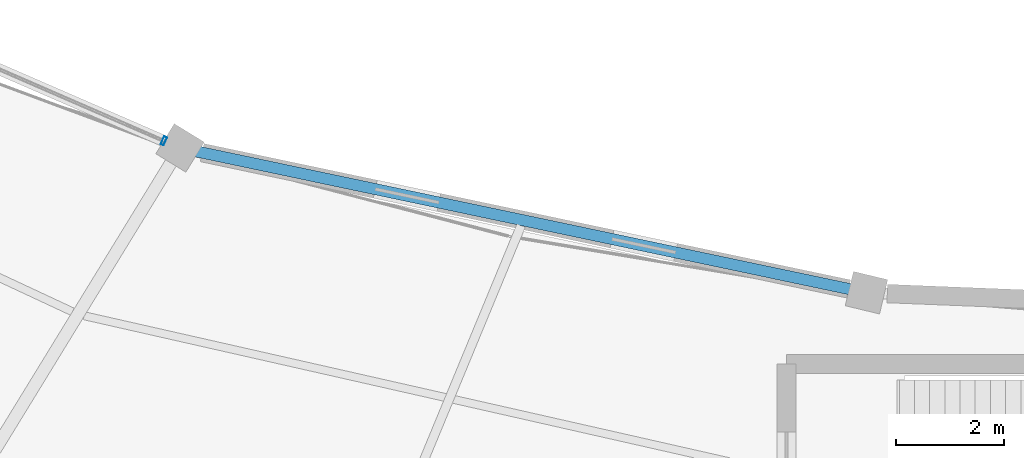
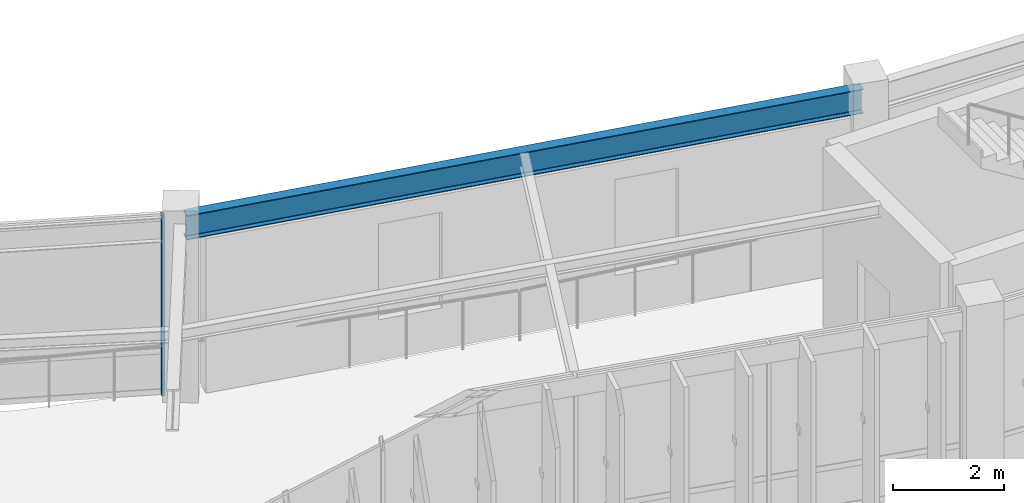
# One storey, part 49 of 138: 1 beam, 1 member, 1 element without a shape of its own.
"""IFC4 building model written with IfcOpenShell, lengths in metres."""

from ifc_helpers import new_model, si_unit, direction, frame, origin, origin_2d, place, context, subcontext, project, spatial, hollow_rectangle, i_section, extrude, material, material_profile, profile_set, type_object, element, aggregate, save


model = new_model("IFC4")

# Units and contexts
model_context = context("Model", 3, precision=1e-05, world=origin(), true_north=direction((0.0, 1.0)))
body_context = subcontext(model_context, "Body", "Model", "MODEL_VIEW")
ifc_project = project(units=[si_unit("LENGTHUNIT", "METRE"), si_unit("AREAUNIT", "SQUARE_METRE"), si_unit("VOLUMEUNIT", "CUBIC_METRE"), si_unit("PLANEANGLEUNIT", "RADIAN"), si_unit("MASSUNIT", "GRAM", prefix="KILO"), si_unit("THERMODYNAMICTEMPERATUREUNIT", "KELVIN"), si_unit("POWERUNIT", "WATT")], contexts=[model_context])

# Site, building, storey
site_placement = place(None, origin())
site = spatial("IfcSite", under=ifc_project, at=site_placement, CompositionType="ELEMENT")
building_placement = place(site_placement, origin())
building = spatial("IfcBuilding", under=site, at=building_placement, Name="Darbajah Civic Hall", CompositionType="ELEMENT")
storey_placement = place(building_placement, frame((0.0, 0.0, 9.60009765625)))
storey = spatial("IfcBuildingStorey", under=building, at=storey_placement, Name="L02", CompositionType="ELEMENT", Elevation=9.60009765625)

# Curtain wall, member
ifc_material_1 = material(Name="Anodised Bronze Aluminium and Low-E Glazing", Category="aluminium")
curtain_wall_type = type_object("IfcCurtainWallType", Name="Unitised Curtain Wall CW-19 10700x3900", PredefinedType="USERDEFINED", material=ifc_material_1)
curtain_wall_placement = place(storey_placement, origin())
curtain_wall = element("IfcCurtainWall", 1, at=curtain_wall_placement, inside=storey, type_object=curtain_wall_type, Name="L02 unitised curtain wall CW-V1I-L02-12", ObjectType="UNITISED CURTAIN WALL", PredefinedType="USERDEFINED")
ifc_material_2 = material(Name="Anodised Bronze Aluminium", Category="aluminium")
ifc_material_profile_1 = material_profile(ifc_material_2, hollow_rectangle(XDim=0.06005859375, YDim=0.159912109375, WallThickness=0.00341796875, at=origin_2d()), Name="ALU MULLION 60x160")
ifc_profile_set_1 = profile_set([ifc_material_profile_1], Name="Anodised Bronze Aluminium")
member_type = type_object("IfcMemberType", Name="ALU MULLION 60x160", PredefinedType="MULLION", material=ifc_profile_set_1)
member_placement = place(storey_placement, frame((65.914794921875, 70.91650390625, 0.0), z_axis=(0.0, 0.0, 1.0), x_axis=(0.917060074385, -0.398749068925, 0.0)))
member = element("IfcMember", 2, at=member_placement, type_object=member_type, Name="CW-V1I-L02-12 mullion 4", PredefinedType="MULLION", context=body_context, shape_type="SweptSolid", body=[
    extrude(hollow_rectangle(XDim=0.06005859375, YDim=0.159912109375, WallThickness=0.00341796875, at=origin_2d()), origin(), (0.0, 0.0, 1.0), 3.919921875),
])
aggregate(curtain_wall, [member])

# Beam
ifc_material_3 = material(Name="Steel S355JR", Category="steel")
ifc_material_profile_2 = material_profile(ifc_material_3, i_section(OverallWidth=0.209228515625, OverallDepth=0.533203125, WebThickness=0.010009765625, FlangeThickness=0.015625, FilletRadius=0.0126953125, at=origin_2d()), Name="UB 533x210x92")
ifc_profile_set_2 = profile_set([ifc_material_profile_2], Name="Steel S355JR")
beam_type = type_object("IfcBeamType", Name="UB 533x210x92", PredefinedType="BEAM", material=ifc_profile_set_2)
beam_placement = place(storey_placement, frame((66.29296875, 70.76953125, 3.6533203125), z_axis=(0.97848162244, -0.206333987862, 0.0), x_axis=(0.206333987862, 0.97848162244, 0.0)))
element("IfcBeam", 3, at=beam_placement, inside=storey, type_object=beam_type, Name="L02 beam SB-533", PredefinedType="BEAM", context=body_context, shape_type="SweptSolid", body=[
    extrude(i_section(OverallWidth=0.209228515625, OverallDepth=0.533203125, WebThickness=0.010009765625, FlangeThickness=0.015625, FilletRadius=0.0126953125, at=origin_2d()), origin(), (0.0, 0.0, 1.0), 12.77880859375),
])

save(model, "model.ifc")
